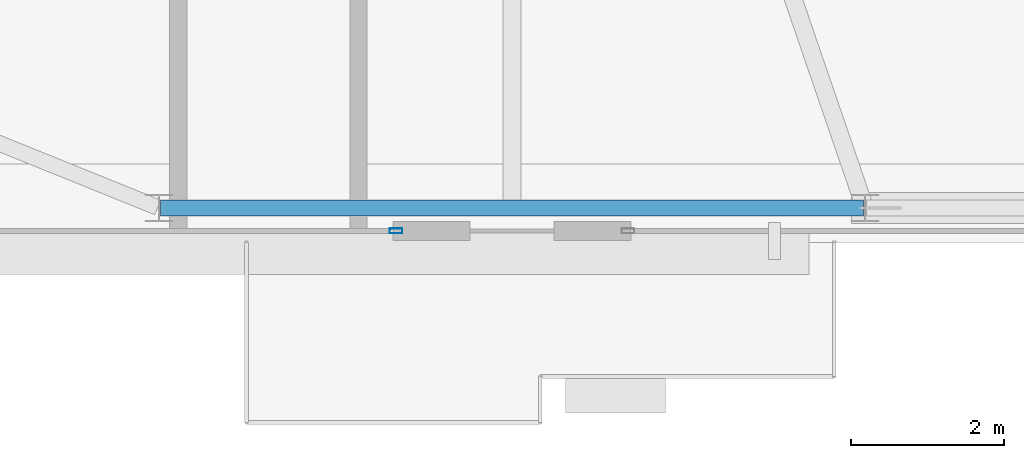
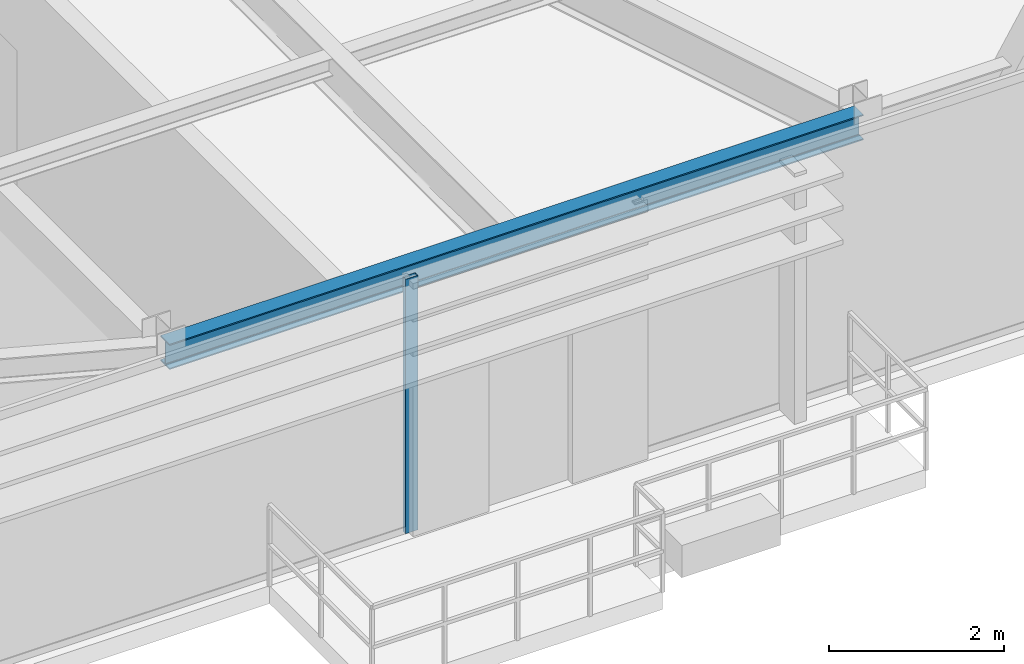
# One storey, part 6 of 31: 1 beam, 1 member, 1 element without a shape of its own.
"""IFC4 building model written with IfcOpenShell, lengths in metres."""

from ifc_helpers import new_model, si_unit, direction, frame, origin, origin_2d, place, context, subcontext, project, spatial, hollow_rectangle, i_section, extrude, source, transform, mapped, material, layer, layer_set, material_profile, profile_set, type_object, type_shapes, element, aggregate, save


model = new_model("IFC4")

# Units and contexts
model_context = context("Model", 3, precision=1e-05, world=origin(), true_north=direction((0.0, 1.0)))
body_context = subcontext(model_context, "Body", "Model", "MODEL_VIEW")
ifc_project = project(units=[si_unit("LENGTHUNIT", "METRE"), si_unit("AREAUNIT", "SQUARE_METRE"), si_unit("VOLUMEUNIT", "CUBIC_METRE"), si_unit("PLANEANGLEUNIT", "RADIAN"), si_unit("MASSUNIT", "GRAM", prefix="KILO")], contexts=[model_context])

# Site, building, storey
site_placement = place(None, origin())
site = spatial("IfcSite", under=ifc_project, at=site_placement, CompositionType="ELEMENT")
building_placement = place(site_placement, origin())
building = spatial("IfcBuilding", under=site, at=building_placement, Name="Varnel Quay Broadcast Tower", CompositionType="ELEMENT")
storey_placement = place(building_placement, frame((0.0, 0.0, 239.39990234375)))
storey = spatial("IfcBuildingStorey", under=building, at=storey_placement, Name="L59", CompositionType="ELEMENT", Elevation=239.39990234375)

# Beam
ifc_material_1 = material(Name="Structural Steel CSA G40.21 350W", Category="steel")
ifc_material_profile_1 = material_profile(ifc_material_1, i_section(OverallWidth=0.205078125, OverallDepth=0.35400390625, WebThickness=0.009521484375, FlangeThickness=0.016845703125, FilletRadius=0.012939453125, at=origin_2d()), Name="W360X79")
ifc_profile_set_1 = profile_set([ifc_material_profile_1], Name="Structural Steel CSA G40.21 350W")
beam_type = type_object("IfcBeamType", Name="Beam_W360X79", PredefinedType="SPANDREL", material=ifc_profile_set_1)
shared_shape_1 = source(origin(), body_context, "Body", "SweptSolid", [
    extrude(i_section(OverallWidth=0.205078125, OverallDepth=0.35400390625, WebThickness=0.009521484375, FlangeThickness=0.016845703125, FilletRadius=0.012939453125, at=origin_2d()), origin(), (0.0, 0.0, 1.0), 9.159912109375),
])
type_shapes(beam_type, [shared_shape_1])
beam_placement = place(storey_placement, frame((20.219970703125, 10.64990234375, 3.373046875), z_axis=(1.0, 0.0, 0.0), x_axis=(0.0, 1.0, 0.0)))
element("IfcBeam", 1, at=beam_placement, inside=storey, type_object=beam_type, Name="L59 South Spandrel TC-S1-TC-S2", PredefinedType="SPANDREL", context=body_context, shape_type="MappedRepresentation", body=[
    mapped(shared_shape_1, transform((0.0, 0.0, 0.0), x_axis=(1.0, 0.0, 0.0), y_axis=(0.0, 1.0, 0.0), z_axis=(0.0, 0.0, 1.0), scale=1.0)),
])

# Curtain wall, member
ifc_material_2 = material(Name="Anodised Bronze Aluminium 6063-T6", Category="aluminium")
ifc_layer = layer(ifc_material_2, 0.18994140625, Name="Anodised Bronze Aluminium 6063-T6")
ifc_layer_set = layer_set([ifc_layer], Name="Anodised Bronze Aluminium 6063-T6")
curtain_wall_type = type_object("IfcCurtainWallType", Name="CW_UpperTower", PredefinedType="NOTDEFINED", material=ifc_layer_set)
curtain_wall_placement = place(storey_placement, origin())
curtain_wall = element("IfcCurtainWall", 2, at=curtain_wall_placement, inside=storey, type_object=curtain_wall_type, Name="L59 South Unitised Curtain Wall 1", PredefinedType="NOTDEFINED")
ifc_material_profile_2 = material_profile(ifc_material_2, hollow_rectangle(XDim=0.06494140625, YDim=0.1650390625, WallThickness=0.00341796875, at=origin_2d()), Name="ALU65X165X3.5")
ifc_profile_set_2 = profile_set([ifc_material_profile_2], Name="Anodised Bronze Aluminium 6063-T6")
member_type = type_object("IfcMemberType", Name="Mull_CWS-03", PredefinedType="MULLION", material=ifc_profile_set_2)
shared_shape_2 = source(origin(), body_context, "Body", "SweptSolid", [
    extrude(hollow_rectangle(XDim=0.06494140625, YDim=0.1650390625, WallThickness=0.00341796875, at=origin_2d()), origin(), (0.0, 0.0, 1.0), 3.550048828125),
])
type_shapes(member_type, [shared_shape_2])
member_placement = place(storey_placement, frame((23.28759765625, 10.35009765625, 0.0), z_axis=(0.0, 0.0, 1.0), x_axis=(0.0, 1.0, 0.0)))
member = element("IfcMember", 3, at=member_placement, type_object=member_type, Name="CWS-03 mullion 2", PredefinedType="MULLION", context=body_context, shape_type="MappedRepresentation", body=[
    mapped(shared_shape_2, transform((0.0, 0.0, 0.0), x_axis=(1.0, 0.0, 0.0), y_axis=(0.0, 1.0, 0.0), z_axis=(0.0, 0.0, 1.0), scale=1.0)),
])
aggregate(curtain_wall, [member])

save(model, "model.ifc")
